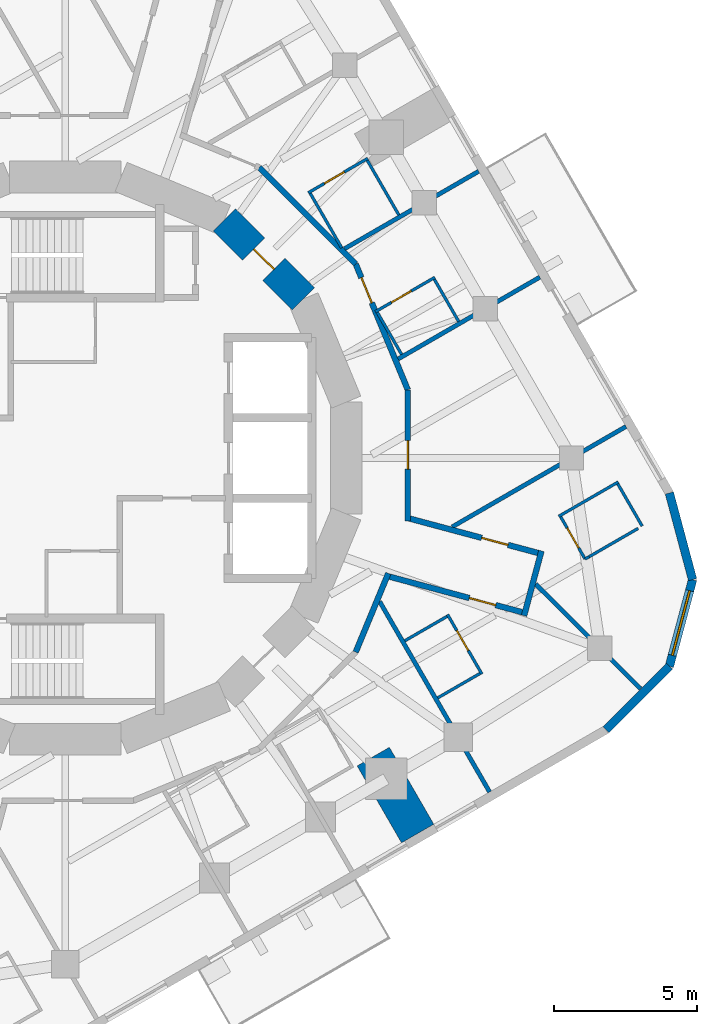
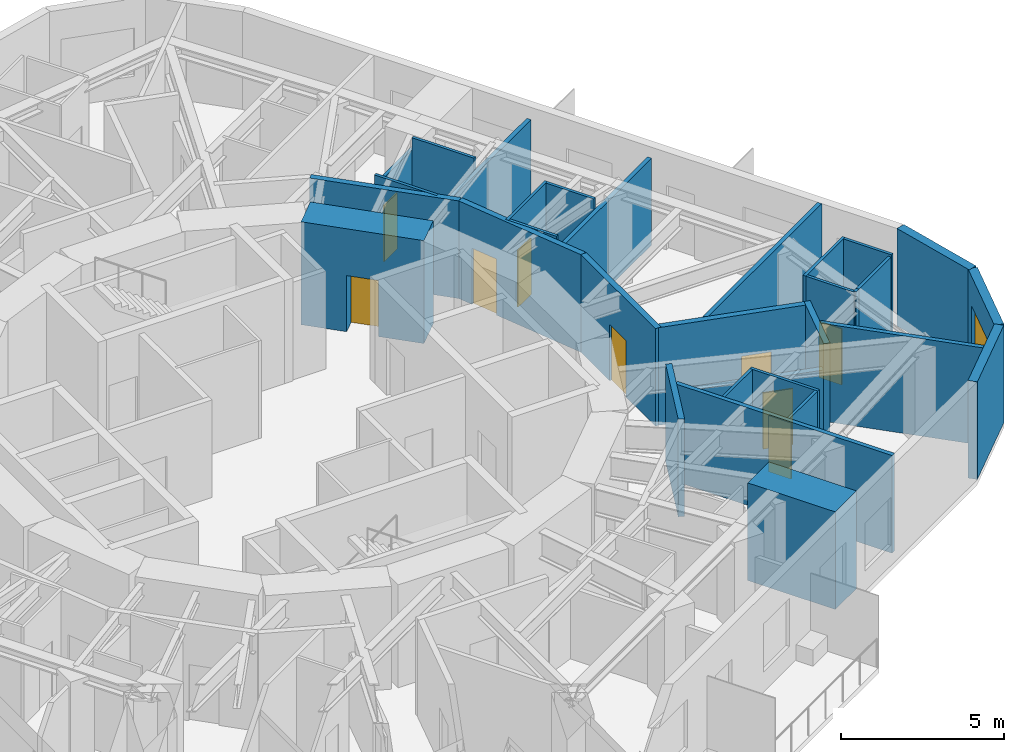
# One storey, part 7 of 11: 31 walls, 9 doors, 1 window, 10 openings.
"""IFC4 building model written with IfcOpenShell, lengths in metres."""

from ifc_helpers import new_model, si_unit, direction, frame, frame_2d, origin, place, context, subcontext, project, spatial, rectangle, extrude, material, layer, layer_set, type_object, element, fill, save


model = new_model("IFC4")

# Units and contexts
model_context = context("Model", 3, precision=1e-05, world=origin(), true_north=direction((0.0, 1.0)))
body_context = subcontext(model_context, "Body", "Model", "MODEL_VIEW")
ifc_project = project(units=[si_unit("LENGTHUNIT", "METRE"), si_unit("AREAUNIT", "SQUARE_METRE"), si_unit("VOLUMEUNIT", "CUBIC_METRE"), si_unit("PLANEANGLEUNIT", "RADIAN"), si_unit("MASSUNIT", "GRAM", prefix="KILO")], contexts=[model_context])

# Site, building, storey
site_placement = place(None, origin())
site = spatial("IfcSite", under=ifc_project, at=site_placement, CompositionType="ELEMENT")
building_placement = place(site_placement, origin())
building = spatial("IfcBuilding", under=site, at=building_placement, Name="Nakasero Lantern House", CompositionType="ELEMENT")
storey_placement = place(building_placement, frame((0.0, 0.0, 253.89990234375)))
storey = spatial("IfcBuildingStorey", under=building, at=storey_placement, Name="L62", CompositionType="ELEMENT", Elevation=253.89990234375)

# Wall
ifc_material_1 = material(Name="Blockwork", Category="masonry")
ifc_layer_1 = layer(ifc_material_1, 1.300048828125)
ifc_layer_set_1 = layer_set([ifc_layer_1], Name="Column pier 1300")
wall_type_1 = type_object("IfcWallType", Name="Column pier 1300", PredefinedType="PARTITIONING", material=ifc_layer_set_1)
wall_1_placement = place(storey_placement, frame((10.75048828125, -10.4208984375, 0.0), z_axis=(0.0, 0.0, 1.0), x_axis=(0.499933790963, -0.866063626216, 0.0)))
element("IfcWall", 1, at=wall_1_placement, inside=storey, type_object=wall_type_1, Name="Column pier L62 PN3-05", PredefinedType="PARTITIONING", context=body_context, shape_type="SweptSolid", body=[
    extrude(rectangle(XDim=3.10009765625, YDim=1.300048828125, at=frame_2d((1.550048828125, 0.0))), origin(), (0.0, 0.0, 1.0), 3.650146484375),
])

# Wall, opening, door
ifc_material_2 = material(Name="Concrete C50/60", Category="concrete")
ifc_layer_2 = layer(ifc_material_2, 1.10009765625)
ifc_layer_set_2 = layer_set([ifc_layer_2], Name="Core wall 1100")
wall_type_2 = type_object("IfcWallType", Name="Core wall 1100", PredefinedType="SHEAR", material=ifc_layer_set_2)
wall_2_placement = place(storey_placement, frame((8.314697265625, 5.5556640625, 0.0), z_axis=(0.0, 0.0, 1.0), x_axis=(-0.707106781187, 0.707106781187, 0.0)))
wall_2 = element("IfcWall", 2, at=wall_2_placement, inside=storey, type_object=wall_type_2, Name="Core wall L62 facet 2", PredefinedType="SHEAR", context=body_context, shape_type="SweptSolid", body=[
    extrude(rectangle(XDim=3.90185546875, YDim=1.10009765625, at=frame_2d((1.950927734375, 0.0))), origin(), (0.0, 0.0, 1.0), 3.85009765625),
])
opening_1_placement = place(wall_2_placement, frame((1.450927734375, 0.0, 0.0)))
opening_1 = element("IfcOpeningElement", 3, at=opening_1_placement, cuts=wall_2, Name="Opening D05", PredefinedType="OPENING", context=body_context, shape_type="SweptSolid", body=[
    extrude(rectangle(XDim=1.0, YDim=2.10009765625, at=frame_2d((0.5, 1.050048828125))), frame((0.0, 0.570068359375, 0.0), z_axis=(0.0, -1.0, 0.0), x_axis=(1.0, 0.0, 0.0)), (0.0, 0.0, 1.0), 1.14013671875),
])
ifc_material_3 = material(Name="Timber C24", Category="wood")
door_type_1 = type_object("IfcDoorType", Name="Core door FD60S 1000", OperationType="SINGLE_SWING_LEFT", PredefinedType="DOOR", material=ifc_material_3)
door_1_placement = place(opening_1_placement, origin())
door_1 = element("IfcDoor", 4, at=door_1_placement, inside=storey, type_object=door_type_1, Name="Door L62 D-CORE02", OperationType="SINGLE_SWING_LEFT", OverallHeight=2.10009765625, OverallWidth=1.0, PredefinedType="DOOR", context=body_context, shape_type="SweptSolid", body=[
    extrude(rectangle(XDim=1.0, YDim=2.10009765625, at=frame_2d((0.5, 1.050048828125))), frame((0.0, 0.02490234375, 0.0), z_axis=(0.0, -1.0, 0.0), x_axis=(1.0, 0.0, 0.0)), (0.0, 0.0, 1.0), 0.050048828125),
])
fill(opening_1, door_1)

ifc_material_4 = material(Name="Blockwork", Category="masonry")
ifc_layer_3 = layer(ifc_material_4, 0.199951171875)
ifc_layer_set_3 = layer_set([ifc_layer_3], Name="Corridor wall 200")
wall_type_3 = type_object("IfcWallType", Name="Corridor wall 200", PredefinedType="PARTITIONING", material=ifc_layer_set_3)
wall_3_placement = place(storey_placement, frame((11.957763671875, 2.378662109375, 0.0), z_axis=(0.0, 0.0, 1.0), x_axis=(0.0, -1.0, 0.0)))
wall_3 = element("IfcWall", 5, at=wall_3_placement, inside=storey, type_object=wall_type_3, Name="Corridor wall L62 RC00a", PredefinedType="PARTITIONING", context=body_context, shape_type="SweptSolid", body=[
    extrude(rectangle(XDim=4.57861328125, YDim=0.199951171875, at=frame_2d((2.289306640625, 0.0))), origin(), (0.0, 0.0, 1.0), 3.650146484375),
])
opening_2_placement = place(wall_3_placement, frame((1.77001953125, 0.0, 0.0)))
opening_2 = element("IfcOpeningElement", 6, at=opening_2_placement, cuts=wall_3, Name="Opening D03", PredefinedType="OPENING", context=body_context, shape_type="SweptSolid", body=[
    extrude(rectangle(XDim=1.0, YDim=2.10009765625, at=frame_2d((0.5, 1.050048828125))), frame((0.0, 0.119873046875, 0.0), z_axis=(0.0, -1.0, 0.0), x_axis=(1.0, 0.0, 0.0)), (0.0, 0.0, 1.0), 0.239990234375),
])
ifc_material_5 = material(Name="Timber C24", Category="wood")
door_type_2 = type_object("IfcDoorType", Name="Lounge door FD30S 1000", OperationType="SINGLE_SWING_LEFT", PredefinedType="DOOR", material=ifc_material_5)
door_2_placement = place(opening_2_placement, origin())
door_2 = element("IfcDoor", 7, at=door_2_placement, inside=storey, type_object=door_type_2, Name="Door L62 DK0", OperationType="SINGLE_SWING_LEFT", OverallHeight=2.10009765625, OverallWidth=1.0, PredefinedType="DOOR", context=body_context, shape_type="SweptSolid", body=[
    extrude(rectangle(XDim=1.0, YDim=2.10009765625, at=frame_2d((0.5, 1.050048828125))), frame((0.0, 0.02490234375, 0.0), z_axis=(0.0, -1.0, 0.0), x_axis=(1.0, 0.0, 0.0)), (0.0, 0.0, 1.0), 0.050048828125),
])
fill(opening_2, door_2)

# Walls
wall_4_placement = place(storey_placement, frame((11.275634765625, -4.025634765625, 0.0), z_axis=(0.0, 0.0, 1.0), x_axis=(-0.382656259044, -0.923890787601, 0.0)))
element("IfcWall", 8, at=wall_4_placement, inside=storey, type_object=wall_type_3, Name="Corridor wall L62 RC01a", PredefinedType="PARTITIONING", context=body_context, shape_type="SweptSolid", body=[
    extrude(rectangle(XDim=2.974365234375, YDim=0.199951171875, at=frame_2d((1.4873046875, 0.0))), origin(), (0.0, 0.0, 1.0), 3.650146484375),
])
wall_5_placement = place(storey_placement, frame((6.773681640625, 10.137451171875, 0.0), z_axis=(0.0, 0.0, 1.0), x_axis=(0.707106781187, -0.707106781187, 0.0)))
element("IfcWall", 9, at=wall_5_placement, inside=storey, type_object=wall_type_3, Name="Corridor wall L62 RC14a", PredefinedType="PARTITIONING", context=body_context, shape_type="SweptSolid", body=[
    extrude(rectangle(XDim=4.757080078125, YDim=0.199951171875, at=frame_2d((2.37841796875, 0.0))), origin(), (0.0, 0.0, 1.0), 3.650146484375),
])

# Wall, opening, door
wall_6_placement = place(storey_placement, frame((10.137451171875, 6.773681640625, 0.0), z_axis=(0.0, 0.0, 1.0), x_axis=(0.382653970627, -0.923891735412, 0.0)))
wall_6 = element("IfcWall", 10, at=wall_6_placement, inside=storey, type_object=wall_type_3, Name="Corridor wall L62 RC15a", PredefinedType="PARTITIONING", context=body_context, shape_type="SweptSolid", body=[
    extrude(rectangle(XDim=4.757080078125, YDim=0.199951171875, at=frame_2d((2.37841796875, 0.0))), origin(), (0.0, 0.0, 1.0), 3.650146484375),
])
opening_3_placement = place(wall_6_placement, frame((0.52001953125, 0.0, 0.0)))
opening_3 = element("IfcOpeningElement", 11, at=opening_3_placement, cuts=wall_6, Name="Opening D01", PredefinedType="OPENING", context=body_context, shape_type="SweptSolid", body=[
    extrude(rectangle(XDim=0.949951171875, YDim=2.10009765625, at=frame_2d((0.47509765625, 1.050048828125))), frame((0.0, 0.119873046875, 0.0), z_axis=(0.0, -1.0, 0.0), x_axis=(1.0, 0.0, 0.0)), (0.0, 0.0, 1.0), 0.239990234375),
])
ifc_material_6 = material(Name="Timber C24", Category="wood")
door_type_3 = type_object("IfcDoorType", Name="Bedroom door FD30S 950", OperationType="SINGLE_SWING_LEFT", PredefinedType="DOOR", material=ifc_material_6)
door_3_placement = place(opening_3_placement, origin())
door_3 = element("IfcDoor", 12, at=door_3_placement, inside=storey, type_object=door_type_3, Name="Door L62 D0-03", OperationType="SINGLE_SWING_LEFT", OverallHeight=2.10009765625, OverallWidth=0.949951171875, PredefinedType="DOOR", context=body_context, shape_type="SweptSolid", body=[
    extrude(rectangle(XDim=0.949951171875, YDim=2.10009765625, at=frame_2d((0.47509765625, 1.050048828125))), frame((0.0, 0.02490234375, 0.0), z_axis=(0.0, -1.0, 0.0), x_axis=(1.0, 0.0, 0.0)), (0.0, 0.0, 1.0), 0.050048828125),
])
fill(opening_3, door_3)

wall_7_placement = place(storey_placement, frame((11.237060546875, -4.11865234375, 0.0), z_axis=(0.0, 0.0, 1.0), x_axis=(0.965923565769, -0.258827481333, 0.0)))
wall_7 = element("IfcWall", 13, at=wall_7_placement, inside=storey, type_object=wall_type_3, Name="Corridor wall L62 SP3a", PredefinedType="PARTITIONING", context=body_context, shape_type="SweptSolid", body=[
    extrude(rectangle(XDim=5.07373046875, YDim=0.199951171875, at=frame_2d((2.536865234375, 0.0))), origin(), (0.0, 0.0, 1.0), 2.669921875),
])
opening_4_placement = place(wall_7_placement, frame((2.969970703125, 0.0, 0.0)))
opening_4 = element("IfcOpeningElement", 14, at=opening_4_placement, cuts=wall_7, Name="Opening D01", PredefinedType="OPENING", context=body_context, shape_type="SweptSolid", body=[
    extrude(rectangle(XDim=0.949951171875, YDim=2.10009765625, at=frame_2d((0.47509765625, 1.050048828125))), frame((0.0, 0.119873046875, 0.0), z_axis=(0.0, -1.0, 0.0), x_axis=(1.0, 0.0, 0.0)), (0.0, 0.0, 1.0), 0.239990234375),
])
door_4_placement = place(opening_4_placement, origin())
door_4 = element("IfcDoor", 15, at=door_4_placement, inside=storey, type_object=door_type_3, Name="Door L62 D3-06", OperationType="SINGLE_SWING_RIGHT", OverallHeight=2.10009765625, OverallWidth=0.949951171875, PredefinedType="DOOR", context=body_context, shape_type="SweptSolid", body=[
    extrude(rectangle(XDim=0.949951171875, YDim=2.10009765625, at=frame_2d((0.47509765625, 1.050048828125))), frame((0.0, 0.02490234375, 0.0), z_axis=(0.0, -1.0, 0.0), x_axis=(1.0, 0.0, 0.0)), (0.0, 0.0, 1.0), 0.050048828125),
])
fill(opening_4, door_4)

wall_8_placement = place(storey_placement, frame((11.957763671875, -2.096435546875, 0.0), z_axis=(0.0, 0.0, 1.0), x_axis=(0.965932486884, -0.258794186145, 0.0)))
wall_8 = element("IfcWall", 16, at=wall_8_placement, inside=storey, type_object=wall_type_3, Name="Corridor wall L62 SP3b", PredefinedType="PARTITIONING", context=body_context, shape_type="SweptSolid", body=[
    extrude(rectangle(XDim=4.90087890625, YDim=0.199951171875, at=frame_2d((2.450439453125, 0.0))), origin(), (0.0, 0.0, 1.0), 3.650146484375),
])
opening_5_placement = place(wall_8_placement, frame((2.669921875, 0.0, 0.0)))
opening_5 = element("IfcOpeningElement", 17, at=opening_5_placement, cuts=wall_8, Name="Opening D01", PredefinedType="OPENING", context=body_context, shape_type="SweptSolid", body=[
    extrude(rectangle(XDim=0.949951171875, YDim=2.10009765625, at=frame_2d((0.47509765625, 1.050048828125))), frame((0.0, 0.119873046875, 0.0), z_axis=(0.0, -1.0, 0.0), x_axis=(1.0, 0.0, 0.0)), (0.0, 0.0, 1.0), 0.239990234375),
])
door_5_placement = place(opening_5_placement, origin())
door_5 = element("IfcDoor", 18, at=door_5_placement, inside=storey, type_object=door_type_3, Name="Door L62 D0-00", OperationType="SINGLE_SWING_RIGHT", OverallHeight=2.10009765625, OverallWidth=0.949951171875, PredefinedType="DOOR", context=body_context, shape_type="SweptSolid", body=[
    extrude(rectangle(XDim=0.949951171875, YDim=2.10009765625, at=frame_2d((0.47509765625, 1.050048828125))), frame((0.0, 0.02490234375, 0.0), z_axis=(0.0, -1.0, 0.0), x_axis=(1.0, 0.0, 0.0)), (0.0, 0.0, 1.0), 0.050048828125),
])
fill(opening_5, door_5)

# Walls
wall_9_placement = place(storey_placement, frame((16.015380859375, -5.502685546875, 0.0), z_axis=(0.0, 0.0, 1.0), x_axis=(0.258850815837, 0.965917312786, 0.0)))
element("IfcWall", 19, at=wall_9_placement, inside=storey, type_object=wall_type_3, Name="Corridor wall L62 SP3e", PredefinedType="PARTITIONING", context=body_context, shape_type="SweptSolid", body=[
    extrude(rectangle(XDim=2.340087890625, YDim=0.199951171875, at=frame_2d((1.169921875, 0.0))), origin(), (0.0, 0.0, 1.0), 3.650146484375),
])
ifc_material_7 = material(Name="Blockwork", Category="masonry")
ifc_layer_4 = layer(ifc_material_7, 0.10009765625)
ifc_layer_set_4 = layer_set([ifc_layer_4], Name="En-suite wall 100")
wall_type_4 = type_object("IfcWallType", Name="En-suite wall 100", PredefinedType="PARTITIONING", material=ifc_layer_set_4)
wall_10_placement = place(storey_placement, frame((17.225341796875, -2.034912109375, 0.0), z_axis=(0.0, 0.0, 1.0), x_axis=(0.866024647952, 0.500001309137, 0.0)))
element("IfcWall", 20, at=wall_10_placement, inside=storey, type_object=wall_type_4, Name="En-suite wall L62 ES0-00", PredefinedType="PARTITIONING", context=body_context, shape_type="SweptSolid", body=[
    extrude(rectangle(XDim=2.39990234375, YDim=0.10009765625, at=frame_2d((1.199951171875, 0.0))), origin(), (0.0, 0.0, 1.0), 3.650146484375),
])
wall_11_placement = place(storey_placement, frame((20.135498046875, -2.37548828125, 0.0), z_axis=(0.0, 0.0, 1.0), x_axis=(-0.500062241894, 0.865989465428, 0.0)))
element("IfcWall", 21, at=wall_11_placement, inside=storey, type_object=wall_type_4, Name="En-suite wall L62 EE0-00", PredefinedType="PARTITIONING", context=body_context, shape_type="SweptSolid", body=[
    extrude(rectangle(XDim=1.699951171875, YDim=0.10009765625, at=frame_2d((0.85009765625, 0.0))), origin(), (0.0, 0.0, 1.0), 3.650146484375),
])

# Wall, opening, door
wall_12_placement = place(storey_placement, frame((18.1435546875, -3.525634765625, 0.0), z_axis=(0.0, 0.0, 1.0), x_axis=(-0.500000056704, 0.866025371046, 0.0)))
wall_12 = element("IfcWall", 22, at=wall_12_placement, inside=storey, type_object=wall_type_4, Name="En-suite wall L62 EI0-00", PredefinedType="PARTITIONING", context=body_context, shape_type="SweptSolid", body=[
    extrude(rectangle(XDim=1.7001953125, YDim=0.10009765625, at=frame_2d((0.85009765625, 0.0))), origin(), (0.0, 0.0, 1.0), 3.650146484375),
])
opening_6_placement = place(wall_12_placement, frame((0.449951171875, 0.0, 0.0)))
opening_6 = element("IfcOpeningElement", 23, at=opening_6_placement, cuts=wall_12, Name="Opening D02", PredefinedType="OPENING", context=body_context, shape_type="SweptSolid", body=[
    extrude(rectangle(XDim=0.800048828125, YDim=2.10009765625, at=frame_2d((0.39990234375, 1.050048828125))), frame((0.0, 0.070068359375, 0.0), z_axis=(0.0, -1.0, 0.0), x_axis=(1.0, 0.0, 0.0)), (0.0, 0.0, 1.0), 0.14013671875),
])
ifc_material_8 = material(Name="Timber C24", Category="wood")
door_type_4 = type_object("IfcDoorType", Name="En-suite door 800", OperationType="SINGLE_SWING_RIGHT", PredefinedType="DOOR", material=ifc_material_8)
door_6_placement = place(opening_6_placement, origin())
door_6 = element("IfcDoor", 24, at=door_6_placement, inside=storey, type_object=door_type_4, Name="Door L62 DE0-00", OperationType="SINGLE_SWING_RIGHT", OverallHeight=2.10009765625, OverallWidth=0.800048828125, PredefinedType="DOOR", context=body_context, shape_type="SweptSolid", body=[
    extrude(rectangle(XDim=0.800048828125, YDim=2.10009765625, at=frame_2d((0.39990234375, 1.050048828125))), frame((0.0, 0.02490234375, 0.0), z_axis=(0.0, -1.0, 0.0), x_axis=(1.0, 0.0, 0.0)), (0.0, 0.0, 1.0), 0.050048828125),
])
fill(opening_6, door_6)

wall_13_placement = place(storey_placement, frame((10.822509765625, 5.104736328125, 0.0), z_axis=(0.0, 0.0, 1.0), x_axis=(0.866024647952, 0.500001309137, 0.0)))
wall_13 = element("IfcWall", 25, at=wall_13_placement, inside=storey, type_object=wall_type_4, Name="En-suite wall L62 ES0-03", PredefinedType="PARTITIONING", context=body_context, shape_type="SweptSolid", body=[
    extrude(rectangle(XDim=2.39990234375, YDim=0.10009765625, at=frame_2d((1.199951171875, 0.0))), origin(), (0.0, 0.0, 1.0), 3.650146484375),
])
opening_7_placement = place(wall_13_placement, frame((0.64990234375, 0.0, 0.0)))
opening_7 = element("IfcOpeningElement", 26, at=opening_7_placement, cuts=wall_13, Name="Opening D02", PredefinedType="OPENING", context=body_context, shape_type="SweptSolid", body=[
    extrude(rectangle(XDim=0.800048828125, YDim=2.10009765625, at=frame_2d((0.39990234375, 1.050048828125))), frame((0.0, 0.070068359375, 0.0), z_axis=(0.0, -1.0, 0.0), x_axis=(1.0, 0.0, 0.0)), (0.0, 0.0, 1.0), 0.14013671875),
])
door_7_placement = place(opening_7_placement, origin())
door_7 = element("IfcDoor", 27, at=door_7_placement, inside=storey, type_object=door_type_4, Name="Door L62 DE0-03", OperationType="SINGLE_SWING_LEFT", OverallHeight=2.10009765625, OverallWidth=0.800048828125, PredefinedType="DOOR", context=body_context, shape_type="SweptSolid", body=[
    extrude(rectangle(XDim=0.800048828125, YDim=2.10009765625, at=frame_2d((0.39990234375, 1.050048828125))), frame((0.0, 0.02490234375, 0.0), z_axis=(0.0, -1.0, 0.0), x_axis=(1.0, 0.0, 0.0)), (0.0, 0.0, 1.0), 0.050048828125),
])
fill(opening_7, door_7)

# Walls
for number, where, z_axis, x_axis, name in (
    (28, (13.732666015625, 4.76416015625, 0.0), (0.0, 0.0, 1.0), (-0.500062241894, 0.865989465428, 0.0), "En-suite wall L62 EE0-03"),
    (29, (11.74072265625, 3.614013671875, 0.0), (0.0, 0.0, 1.0), (-0.499892348375, 0.866087547558, 0.0), "En-suite wall L62 EI0-03"),
):
    element("IfcWall", number, at=place(storey_placement, frame(where, z_axis=z_axis, x_axis=x_axis)), inside=storey, type_object=wall_type_4, Name=name, PredefinedType="PARTITIONING", context=body_context, shape_type="SweptSolid", body=[
        extrude(rectangle(XDim=1.699951171875, YDim=0.10009765625, at=frame_2d((0.85009765625, 0.0))), origin(), (0.0, 0.0, 1.0), 3.650146484375),
    ])

# Wall, opening, door
wall_14_placement = place(storey_placement, frame((8.482177734375, 9.257080078125, 0.0), z_axis=(0.0, 0.0, 1.0), x_axis=(0.865980596518, 0.500077600433, 0.0)))
wall_14 = element("IfcWall", 30, at=wall_14_placement, inside=storey, type_object=wall_type_4, Name="En-suite wall L62 ES0-04", PredefinedType="PARTITIONING", context=body_context, shape_type="SweptSolid", body=[
    extrude(rectangle(XDim=2.39990234375, YDim=0.10009765625, at=frame_2d((1.199951171875, 0.0))), origin(), (0.0, 0.0, 1.0), 3.19677734375),
])
opening_8_placement = place(wall_14_placement, frame((0.64990234375, 0.0, 0.0)))
opening_8 = element("IfcOpeningElement", 31, at=opening_8_placement, cuts=wall_14, Name="Opening D02", PredefinedType="OPENING", context=body_context, shape_type="SweptSolid", body=[
    extrude(rectangle(XDim=0.800048828125, YDim=2.10009765625, at=frame_2d((0.39990234375, 1.050048828125))), frame((0.0, 0.070068359375, 0.0), z_axis=(0.0, -1.0, 0.0), x_axis=(1.0, 0.0, 0.0)), (0.0, 0.0, 1.0), 0.14013671875),
])
door_8_placement = place(opening_8_placement, origin())
door_8 = element("IfcDoor", 32, at=door_8_placement, inside=storey, type_object=door_type_4, Name="Door L62 DE0-04", OperationType="SINGLE_SWING_LEFT", OverallHeight=2.10009765625, OverallWidth=0.800048828125, PredefinedType="DOOR", context=body_context, shape_type="SweptSolid", body=[
    extrude(rectangle(XDim=0.800048828125, YDim=2.10009765625, at=frame_2d((0.39990234375, 1.050048828125))), frame((0.0, 0.02490234375, 0.0), z_axis=(0.0, -1.0, 0.0), x_axis=(1.0, 0.0, 0.0)), (0.0, 0.0, 1.0), 0.050048828125),
])
fill(opening_8, door_8)

# Walls
wall_15_placement = place(storey_placement, frame((11.642333984375, 8.483642578125, 0.0), z_axis=(0.0, 0.0, 1.0), x_axis=(-0.50002983664, 0.866008176907, 0.0)))
element("IfcWall", 33, at=wall_15_placement, inside=storey, type_object=wall_type_4, Name="En-suite wall L62 EE0-04", PredefinedType="PARTITIONING", context=body_context, shape_type="SweptSolid", body=[
    extrude(rectangle(XDim=2.199951171875, YDim=0.10009765625, at=frame_2d((1.10009765625, 0.0))), origin(), (0.0, 0.0, 1.0), 3.650146484375),
])
wall_16_placement = place(storey_placement, frame((9.650390625, 7.333740234375, 0.0), z_axis=(0.0, 0.0, 1.0), x_axis=(-0.499994660107, 0.866028486751, 0.0)))
element("IfcWall", 34, at=wall_16_placement, inside=storey, type_object=wall_type_4, Name="En-suite wall L62 EI0-04", PredefinedType="PARTITIONING", context=body_context, shape_type="SweptSolid", body=[
    extrude(rectangle(XDim=2.19970703125, YDim=0.10009765625, at=frame_2d((1.099853515625, 0.0))), origin(), (0.0, 0.0, 1.0), 3.650146484375),
])

# Wall, opening, door
wall_17_placement = place(storey_placement, frame((13.342041015625, -5.46044921875, 0.0), z_axis=(0.0, 0.0, 1.0), x_axis=(0.500033551112, -0.866006032174, 0.0)))
wall_17 = element("IfcWall", 35, at=wall_17_placement, inside=storey, type_object=wall_type_4, Name="En-suite wall L62 ES3-06", PredefinedType="PARTITIONING", context=body_context, shape_type="SweptSolid", body=[
    extrude(rectangle(XDim=2.400146484375, YDim=0.10009765625, at=frame_2d((1.2001953125, 0.0))), origin(), (0.0, 0.0, 1.0), 3.650146484375),
])
opening_9_placement = place(wall_17_placement, frame((0.64990234375, 0.0, 0.0)))
opening_9 = element("IfcOpeningElement", 36, at=opening_9_placement, cuts=wall_17, Name="Opening D02", PredefinedType="OPENING", context=body_context, shape_type="SweptSolid", body=[
    extrude(rectangle(XDim=0.800048828125, YDim=2.10009765625, at=frame_2d((0.39990234375, 1.050048828125))), frame((0.0, 0.070068359375, 0.0), z_axis=(0.0, -1.0, 0.0), x_axis=(1.0, 0.0, 0.0)), (0.0, 0.0, 1.0), 0.14013671875),
])
door_9_placement = place(opening_9_placement, origin())
door_9 = element("IfcDoor", 37, at=door_9_placement, inside=storey, type_object=door_type_4, Name="Door L62 DE3-06", OperationType="SINGLE_SWING_LEFT", OverallHeight=2.10009765625, OverallWidth=0.800048828125, PredefinedType="DOOR", context=body_context, shape_type="SweptSolid", body=[
    extrude(rectangle(XDim=0.800048828125, YDim=2.10009765625, at=frame_2d((0.39990234375, 1.050048828125))), frame((0.0, 0.02490234375, 0.0), z_axis=(0.0, -1.0, 0.0), x_axis=(1.0, 0.0, 0.0)), (0.0, 0.0, 1.0), 0.050048828125),
])
fill(opening_9, door_9)

# Walls
for number, where, z_axis, x_axis, name in (
    (38, (13.001708984375, -8.37060546875, 0.0), (0.0, 0.0, 1.0), (0.86605165483, 0.499954529098, 0.0), "En-suite wall L62 EE3-06"),
    (39, (11.8515625, -6.37890625, 0.0), (0.0, 0.0, 1.0), (0.865989465428, 0.500062241894, 0.0), "En-suite wall L62 EI3-06"),
):
    element("IfcWall", number, at=place(storey_placement, frame(where, z_axis=z_axis, x_axis=x_axis)), inside=storey, type_object=wall_type_4, Name=name, PredefinedType="PARTITIONING", context=body_context, shape_type="SweptSolid", body=[
        extrude(rectangle(XDim=1.699951171875, YDim=0.10009765625, at=frame_2d((0.85009765625, 0.0))), origin(), (0.0, 0.0, 1.0), 3.650146484375),
    ])
wall_18_placement = place(storey_placement, frame((18.2822265625, -3.445556640625, 0.0), z_axis=(0.0, 0.0, 1.0), x_axis=(0.866011036969, 0.500024883228, 0.0)))
element("IfcWall", 40, at=wall_18_placement, inside=storey, type_object=wall_type_4, Name="En-suite wall L62 EX000", PredefinedType="PARTITIONING", context=body_context, shape_type="SweptSolid", body=[
    extrude(rectangle(XDim=1.97998046875, YDim=0.10009765625, at=frame_2d((0.989990234375, 0.0))), origin(), (0.0, 0.0, 1.0), 3.650146484375),
])
wall_19_placement = place(storey_placement, frame((18.1435546875, -3.525634765625, 0.0), z_axis=(0.0, 0.0, 1.0), x_axis=(0.865982457891, 0.500074377092, 0.0)))
element("IfcWall", 41, at=wall_19_placement, inside=storey, type_object=wall_type_4, Name="En-suite wall L62 EI0-00R0", PredefinedType="PARTITIONING", context=body_context, shape_type="SweptSolid", body=[
    extrude(rectangle(XDim=0.16015625, YDim=0.10009765625, at=frame_2d((0.080078125, 0.0))), origin(), (0.0, 0.0, 1.0), 3.650146484375),
])
ifc_material_9 = material(Name="Aluminium rainscreen on blockwork", Category="masonry")
ifc_layer_5 = layer(ifc_material_9, 0.300048828125)
ifc_layer_set_5 = layer_set([ifc_layer_5], Name="Facade wall 300")
wall_type_5 = type_object("IfcWallType", Name="Facade wall 300", PredefinedType="SOLIDWALL", material=ifc_layer_set_5)
wall_20_placement = place(storey_placement, frame((18.870849609375, -9.4853515625, 0.0), z_axis=(0.0, 0.0, 1.0), x_axis=(0.707145758492, 0.707067801733, 0.0)))
element("IfcWall", 42, at=wall_20_placement, inside=storey, type_object=wall_type_5, Name="Facade wall L62 FW3C1", PredefinedType="SOLIDWALL", context=body_context, shape_type="SweptSolid", body=[
    extrude(rectangle(XDim=3.1318359375, YDim=0.300048828125, at=frame_2d((1.56591796875, 0.0))), origin(), (0.0, 0.0, 1.0), 3.650146484375),
])

# Wall, opening, window
wall_21_placement = place(storey_placement, frame((21.08544921875, -7.27099609375, 0.0), z_axis=(0.0, 0.0, 1.0), x_axis=(0.258807521156, 0.965928914048, 0.0)))
wall_21 = element("IfcWall", 43, at=wall_21_placement, inside=storey, type_object=wall_type_5, Name="Facade wall L62 FW3C2", PredefinedType="SOLIDWALL", context=body_context, shape_type="SweptSolid", body=[
    extrude(rectangle(XDim=3.1318359375, YDim=0.300048828125, at=frame_2d((1.56591796875, 0.0))), origin(), (0.0, 0.0, 1.0), 3.650146484375),
])
opening_10_placement = place(wall_21_placement, frame((0.39990234375, 0.0, 0.75)))
opening_10 = element("IfcOpeningElement", 44, at=opening_10_placement, cuts=wall_21, Name="Opening W223", PredefinedType="OPENING", context=body_context, shape_type="SweptSolid", body=[
    extrude(rectangle(XDim=2.33203125, YDim=1.800048828125, at=frame_2d((1.166015625, 0.89990234375))), frame((0.0, 0.169921875, 0.0), z_axis=(0.0, -1.0, 0.0), x_axis=(1.0, 0.0, 0.0)), (0.0, 0.0, 1.0), 0.340087890625),
])
ifc_material_10 = material(Name="Aluminium 6063-T6 and glass", Category="aluminium")
window_type = type_object("IfcWindowType", Name="Corner window 2332x1800", PartitioningType="SINGLE_PANEL", PredefinedType="WINDOW", material=ifc_material_10)
window_placement = place(opening_10_placement, origin())
window = element("IfcWindow", 45, at=window_placement, inside=storey, type_object=window_type, Name="Window L62 WC3", OverallHeight=1.800048828125, OverallWidth=2.33203125, PartitioningType="SINGLE_PANEL", PredefinedType="WINDOW", context=body_context, shape_type="SweptSolid", body=[
    extrude(rectangle(XDim=2.33203125, YDim=1.800048828125, at=frame_2d((1.166015625, 0.89990234375))), frame((0.0, 0.030029296875, 0.0), z_axis=(0.0, -1.0, 0.0), x_axis=(1.0, 0.0, 0.0)), (0.0, 0.0, 1.0), 0.06005859375),
])
fill(opening_10, window)

# Walls
wall_22_placement = place(storey_placement, frame((21.89599609375, -4.245849609375, 0.0), z_axis=(0.0, 0.0, 1.0), x_axis=(-0.258827010283, 0.96592369199, 0.0)))
element("IfcWall", 46, at=wall_22_placement, inside=storey, type_object=wall_type_5, Name="Facade wall L62 FW3C3", PredefinedType="SOLIDWALL", context=body_context, shape_type="SweptSolid", body=[
    extrude(rectangle(XDim=3.131591796875, YDim=0.300048828125, at=frame_2d((1.56591796875, 0.0))), origin(), (0.0, 0.0, 1.0), 3.650146484375),
])
ifc_material_11 = material(Name="Blockwork", Category="masonry")
ifc_layer_6 = layer(ifc_material_11, 0.14990234375)
ifc_layer_set_6 = layer_set([ifc_layer_6], Name="Party wall 150")
wall_type_6 = type_object("IfcWallType", Name="Party wall 150", PredefinedType="PARTITIONING", material=ifc_layer_set_6)
wall_23_placement = place(storey_placement, frame((13.499755859375, -2.406005859375, 0.0), z_axis=(0.0, 0.0, 1.0), x_axis=(0.866016859018, 0.500014799677, 0.0)))
element("IfcWall", 47, at=wall_23_placement, inside=storey, type_object=wall_type_6, Name="Party wall L62 PW0-01", PredefinedType="PARTITIONING", context=body_context, shape_type="SweptSolid", body=[
    extrude(rectangle(XDim=7.011962890625, YDim=0.14990234375, at=frame_2d((3.505859375, 0.0))), origin(), (0.0, 0.0, 1.0), 3.650146484375),
])
wall_24_placement = place(storey_placement, frame((11.619140625, 3.457275390625, 0.0), z_axis=(0.0, 0.0, 1.0), x_axis=(0.866023927955, 0.500002556202, 0.0)))
element("IfcWall", 48, at=wall_24_placement, inside=storey, type_object=wall_type_6, Name="Party wall L62 PW0-03", PredefinedType="PARTITIONING", context=body_context, shape_type="SweptSolid", body=[
    extrude(rectangle(XDim=5.708984375, YDim=0.14990234375, at=frame_2d((2.8544921875, 0.0))), origin(), (0.0, 0.0, 1.0), 3.24365234375),
])
wall_25_placement = place(storey_placement, frame((9.748779296875, 7.3037109375, 0.0), z_axis=(0.0, 0.0, 1.0), x_axis=(0.86600807666, 0.500030010259, 0.0)))
element("IfcWall", 49, at=wall_25_placement, inside=storey, type_object=wall_type_6, Name="Party wall L62 PW0-04", PredefinedType="PARTITIONING", context=body_context, shape_type="SweptSolid", body=[
    extrude(rectangle(XDim=5.405517578125, YDim=0.14990234375, at=frame_2d((2.70263671875, 0.0))), origin(), (0.0, 0.0, 1.0), 3.190185546875),
])
wall_26_placement = place(storey_placement, frame((10.9755859375, -5.011474609375, 0.0), z_axis=(0.0, 0.0, 1.0), x_axis=(0.499985976588, -0.866033500054, 0.0)))
element("IfcWall", 50, at=wall_26_placement, inside=storey, type_object=wall_type_6, Name="Party wall L62 PW3-06", PredefinedType="PARTITIONING", context=body_context, shape_type="SweptSolid", body=[
    extrude(rectangle(XDim=7.672119140625, YDim=0.14990234375, at=frame_2d((3.8359375, 0.0))), origin(), (0.0, 0.0, 1.0), 3.650146484375),
])
wall_27_placement = place(storey_placement, frame((16.414794921875, -4.3984375, 0.0), z_axis=(0.0, 0.0, 1.0), x_axis=(0.708660804635, -0.705549334897, 0.0)))
element("IfcWall", 51, at=wall_27_placement, inside=storey, type_object=wall_type_6, Name="Party wall L62 PW0-00", PredefinedType="PARTITIONING", context=body_context, shape_type="SweptSolid", body=[
    extrude(rectangle(XDim=5.1787109375, YDim=0.14990234375, at=frame_2d((2.58935546875, 0.0))), origin(), (0.0, 0.0, 1.0), 3.650146484375),
])

save(model, "model.ifc")
